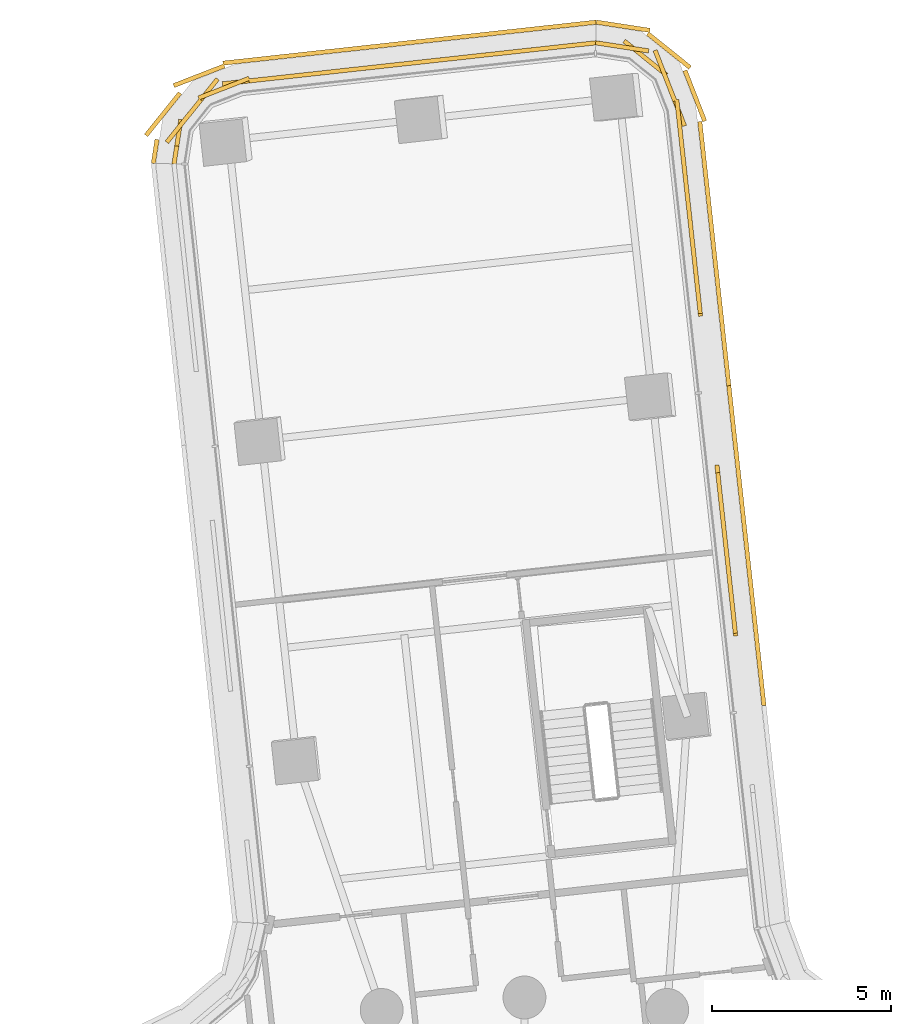
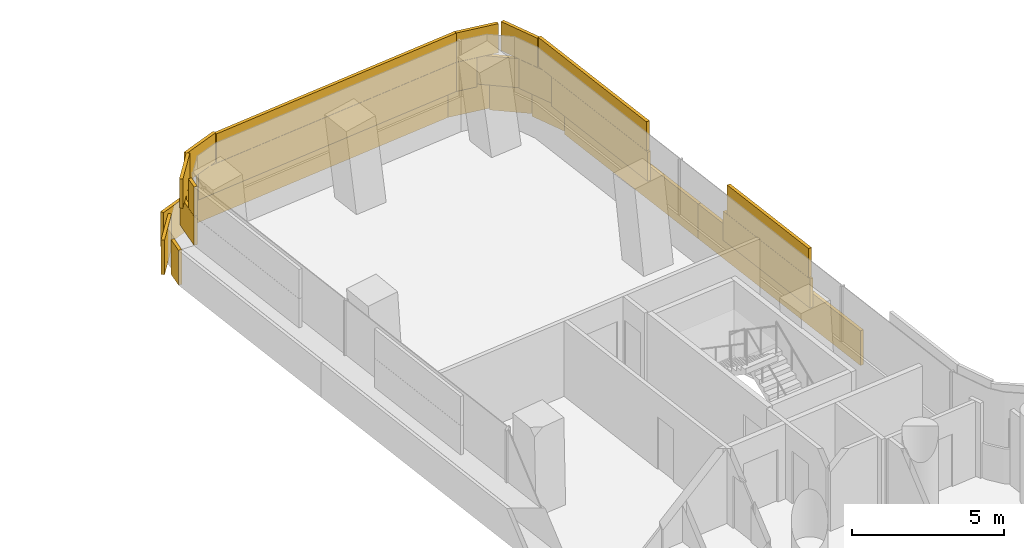
# One storey, part 31 of 31: 3 coverings.
"""IFC4 building model written with IfcOpenShell, lengths in metres."""

from ifc_helpers import new_model, si_unit, direction, frame, origin, origin_2d, place, context, subcontext, project, spatial, rectangle, extrude, material, layer, layer_set, type_object, element, save


model = new_model("IFC4")

# Units and contexts
model_context = context("Model", 3, precision=1e-05, world=origin(), true_north=direction((0.0, 1.0)))
body_context = subcontext(model_context, "Body", "Model", "MODEL_VIEW")
ifc_project = project(units=[si_unit("LENGTHUNIT", "METRE"), si_unit("AREAUNIT", "SQUARE_METRE"), si_unit("VOLUMEUNIT", "CUBIC_METRE"), si_unit("PLANEANGLEUNIT", "RADIAN"), si_unit("MASSUNIT", "GRAM", prefix="KILO")], contexts=[model_context])

# Site, building, storey
site_placement = place(None, origin())
site = spatial("IfcSite", under=ifc_project, at=site_placement, CompositionType="ELEMENT")
building_placement = place(site_placement, origin())
building = spatial("IfcBuilding", under=site, at=building_placement, Name="Tamarind Cross Interchange Tower", CompositionType="ELEMENT")
storey_placement = place(building_placement, frame((0.0, 0.0, 56.5)))
storey = spatial("IfcBuildingStorey", under=building, at=storey_placement, Name="L12", CompositionType="ELEMENT", Elevation=56.5)

# Coverings
ifc_material = material(Name="Terracotta", Category="masonry")
ifc_layer = layer(ifc_material, 0.1201171875)
ifc_layer_set = layer_set([ifc_layer], Name="Terracotta")
covering_type = type_object("IfcCoveringType", Name="Terracotta baguette screen unit", PredefinedType="MOLDING", material=ifc_layer_set)
covering_1_placement = place(storey_placement, origin())
element("IfcCovering", 1, at=covering_1_placement, inside=storey, type_object=covering_type, Name="SCR-L12-03-01", PredefinedType="MOLDING", context=body_context, shape_type="SweptSolid", body=[
    extrude(rectangle(XDim=0.837890625, YDim=0.1201171875, at=origin_2d()), frame((5.865478515625, 33.53466796875, 1.404052734375), z_axis=(0.0, 0.0, 1.0), x_axis=(-0.109193040639, 0.994020563105, 0.0)), (0.0, 0.0, 1.0), 1.1669921875),
    extrude(rectangle(XDim=1.52001953125, YDim=0.1201171875, at=origin_2d()), frame((5.738525390625, 34.691650390625, 1.404052734375), z_axis=(0.0, 0.0, 1.0), x_axis=(-0.109193040639, 0.994020563105, 0.0)), (0.0, 0.0, 1.0), 1.1669921875),
    extrude(rectangle(XDim=1.52001953125, YDim=0.1201171875, at=origin_2d()), frame((5.57470703125, 36.182861328125, 1.404052734375), z_axis=(0.0, 0.0, 1.0), x_axis=(-0.109193040639, 0.994020563105, 0.0)), (0.0, 0.0, 1.0), 1.1669921875),
    extrude(rectangle(XDim=0.982421875, YDim=0.1201171875, at=origin_2d()), frame((5.439697265625, 37.41162109375, 1.404052734375), z_axis=(0.0, 0.0, 1.0), x_axis=(-0.109193040639, 0.994020563105, 0.0)), (0.0, 0.0, 1.0), 1.1669921875),
    extrude(rectangle(XDim=1.52001953125, YDim=0.1201171875, at=origin_2d()), frame((5.8203125, 33.9462890625, 2.5791015625), z_axis=(0.0, 0.0, 1.0), x_axis=(-0.109193040639, 0.994020563105, 0.0)), (0.0, 0.0, 1.0), 1.1669921875),
    extrude(rectangle(XDim=1.52001953125, YDim=0.1201171875, at=origin_2d()), frame((5.656494140625, 35.437255859375, 2.5791015625), z_axis=(0.0, 0.0, 1.0), x_axis=(-0.109193040639, 0.994020563105, 0.0)), (0.0, 0.0, 1.0), 1.1669921875),
    extrude(rectangle(XDim=1.52001953125, YDim=0.1201171875, at=origin_2d()), frame((5.49267578125, 36.92822265625, 2.5791015625), z_axis=(0.0, 0.0, 1.0), x_axis=(-0.109193040639, 0.994020563105, 0.0)), (0.0, 0.0, 1.0), 1.1669921875),
    extrude(rectangle(XDim=1.436767578125, YDim=0.1201171875, at=origin_2d()), frame((6.624267578125, 31.884765625, 0.00390625), z_axis=(0.0, 0.0, 1.0), x_axis=(-0.109193040639, 0.994020563105, 0.0)), (0.0, 0.0, 1.0), 1.39208984375),
    extrude(rectangle(XDim=1.52001953125, YDim=0.1201171875, at=origin_2d()), frame((6.465087890625, 33.334228515625, 0.00390625), z_axis=(0.0, 0.0, 1.0), x_axis=(-0.109193040639, 0.994020563105, 0.0)), (0.0, 0.0, 1.0), 1.39208984375),
    extrude(rectangle(XDim=1.52001953125, YDim=0.1201171875, at=origin_2d()), frame((6.30126953125, 34.825439453125, 0.00390625), z_axis=(0.0, 0.0, 1.0), x_axis=(-0.109193040639, 0.994020563105, 0.0)), (0.0, 0.0, 1.0), 1.39208984375),
    extrude(rectangle(XDim=1.52001953125, YDim=0.1201171875, at=origin_2d()), frame((6.137451171875, 36.31640625, 0.00390625), z_axis=(0.0, 0.0, 1.0), x_axis=(-0.109193040639, 0.994020563105, 0.0)), (0.0, 0.0, 1.0), 1.39208984375),
    extrude(rectangle(XDim=1.52001953125, YDim=0.1201171875, at=origin_2d()), frame((5.9736328125, 37.807373046875, 0.00390625), z_axis=(0.0, 0.0, 1.0), x_axis=(-0.109193040639, 0.994020563105, 0.0)), (0.0, 0.0, 1.0), 1.39208984375),
    extrude(rectangle(XDim=1.52001953125, YDim=0.1201171875, at=origin_2d()), frame((5.809814453125, 39.29833984375, 0.00390625), z_axis=(0.0, 0.0, 1.0), x_axis=(-0.109193040639, 0.994020563105, 0.0)), (0.0, 0.0, 1.0), 1.39208984375),
    extrude(rectangle(XDim=0.0849609375, YDim=0.1201171875, at=origin_2d()), frame((5.724365234375, 40.076416015625, 0.00390625), z_axis=(0.0, 0.0, 1.0), x_axis=(-0.109193040639, 0.994020563105, 0.0)), (0.0, 0.0, 1.0), 1.39208984375),
])
covering_2_placement = place(storey_placement, origin())
element("IfcCovering", 2, at=covering_2_placement, inside=storey, type_object=covering_type, Name="SCR-L12-03-02", PredefinedType="MOLDING", context=body_context, shape_type="SweptSolid", body=[
    extrude(rectangle(XDim=0.837646484375, YDim=0.1201171875, at=origin_2d()), frame((4.8828125, 42.48095703125, 1.404052734375), z_axis=(0.0, 0.0, 1.0), x_axis=(-0.109193040639, 0.994020563105, 0.0)), (0.0, 0.0, 1.0), 1.1669921875),
    extrude(rectangle(XDim=1.52001953125, YDim=0.1201171875, at=origin_2d()), frame((4.755615234375, 43.637939453125, 1.404052734375), z_axis=(0.0, 0.0, 1.0), x_axis=(-0.109193040639, 0.994020563105, 0.0)), (0.0, 0.0, 1.0), 1.1669921875),
    extrude(rectangle(XDim=1.52001953125, YDim=0.1201171875, at=origin_2d()), frame((4.592041015625, 45.12890625, 1.404052734375), z_axis=(0.0, 0.0, 1.0), x_axis=(-0.109193040639, 0.994020563105, 0.0)), (0.0, 0.0, 1.0), 1.1669921875),
    extrude(rectangle(XDim=1.52001953125, YDim=0.1201171875, at=origin_2d()), frame((4.42822265625, 46.619873046875, 1.404052734375), z_axis=(0.0, 0.0, 1.0), x_axis=(-0.109193040639, 0.994020563105, 0.0)), (0.0, 0.0, 1.0), 1.1669921875),
    extrude(rectangle(XDim=1.52001953125, YDim=0.1201171875, at=origin_2d()), frame((4.2041015625, 48.09619140625, 1.404052734375), z_axis=(0.0, 0.0, 1.0), x_axis=(-0.36274383096, 0.931888895256, 0.0)), (0.0, 0.0, 1.0), 1.1669921875),
    extrude(rectangle(XDim=1.52001953125, YDim=0.1201171875, at=origin_2d()), frame((3.3818359375, 49.2900390625, 1.404052734375), z_axis=(0.0, 0.0, 1.0), x_axis=(-0.780089820305, 0.625667541316, 0.0)), (0.0, 0.0, 1.0), 1.1669921875),
    extrude(rectangle(XDim=0.748046875, YDim=0.1201171875, at=origin_2d()), frame((2.362548828125, 49.657470703125, 1.404052734375), z_axis=(0.0, 0.0, 1.0), x_axis=(-0.988411372276, 0.151799074951, 0.0)), (0.0, 0.0, 1.0), 1.1669921875),
    extrude(rectangle(XDim=1.52001953125, YDim=0.1201171875, at=origin_2d()), frame((4.837646484375, 42.892333984375, 2.5791015625), z_axis=(0.0, 0.0, 1.0), x_axis=(-0.109193040639, 0.994020563105, 0.0)), (0.0, 0.0, 1.0), 1.1669921875),
    extrude(rectangle(XDim=1.52001953125, YDim=0.1201171875, at=origin_2d()), frame((4.673828125, 44.383544921875, 2.5791015625), z_axis=(0.0, 0.0, 1.0), x_axis=(-0.109193040639, 0.994020563105, 0.0)), (0.0, 0.0, 1.0), 1.1669921875),
    extrude(rectangle(XDim=1.52001953125, YDim=0.1201171875, at=origin_2d()), frame((4.510009765625, 45.87451171875, 2.5791015625), z_axis=(0.0, 0.0, 1.0), x_axis=(-0.109193040639, 0.994020563105, 0.0)), (0.0, 0.0, 1.0), 1.1669921875),
    extrude(rectangle(XDim=1.52001953125, YDim=0.1201171875, at=origin_2d()), frame((4.34619140625, 47.365478515625, 2.5791015625), z_axis=(0.0, 0.0, 1.0), x_axis=(-0.109193040639, 0.994020563105, 0.0)), (0.0, 0.0, 1.0), 1.1669921875),
    extrude(rectangle(XDim=1.52001953125, YDim=0.1201171875, at=origin_2d()), frame((3.931884765625, 48.795166015625, 2.5791015625), z_axis=(0.0, 0.0, 1.0), x_axis=(-0.36274383096, 0.931888895256, 0.0)), (0.0, 0.0, 1.0), 1.1669921875),
    extrude(rectangle(XDim=1.498046875, YDim=0.1201171875, at=origin_2d()), frame((2.733154296875, 49.600341796875, 2.5791015625), z_axis=(0.0, 0.0, 1.0), x_axis=(-0.988411372276, 0.151799074951, 0.0)), (0.0, 0.0, 1.0), 1.1669921875),
    extrude(rectangle(XDim=1.434814453125, YDim=0.1201171875, at=origin_2d()), frame((5.641357421875, 40.831787109375, 0.00390625), z_axis=(0.0, 0.0, 1.0), x_axis=(-0.109193040639, 0.994020563105, 0.0)), (0.0, 0.0, 1.0), 1.39208984375),
    extrude(rectangle(XDim=1.52001953125, YDim=0.1201171875, at=origin_2d()), frame((5.482177734375, 42.280517578125, 0.00390625), z_axis=(0.0, 0.0, 1.0), x_axis=(-0.109193040639, 0.994020563105, 0.0)), (0.0, 0.0, 1.0), 1.39208984375),
    extrude(rectangle(XDim=1.52001953125, YDim=0.1201171875, at=origin_2d()), frame((5.318603515625, 43.771484375, 0.00390625), z_axis=(0.0, 0.0, 1.0), x_axis=(-0.109193040639, 0.994020563105, 0.0)), (0.0, 0.0, 1.0), 1.39208984375),
    extrude(rectangle(XDim=1.52001953125, YDim=0.1201171875, at=origin_2d()), frame((5.15478515625, 45.2626953125, 0.00390625), z_axis=(0.0, 0.0, 1.0), x_axis=(-0.109193040639, 0.994020563105, 0.0)), (0.0, 0.0, 1.0), 1.39208984375),
    extrude(rectangle(XDim=1.52001953125, YDim=0.1201171875, at=origin_2d()), frame((4.990966796875, 46.753662109375, 0.00390625), z_axis=(0.0, 0.0, 1.0), x_axis=(-0.109193040639, 0.994020563105, 0.0)), (0.0, 0.0, 1.0), 1.39208984375),
    extrude(rectangle(XDim=1.52001953125, YDim=0.1201171875, at=origin_2d()), frame((4.767822265625, 48.230224609375, 0.00390625), z_axis=(0.0, 0.0, 1.0), x_axis=(-0.36274383096, 0.931888895256, 0.0)), (0.0, 0.0, 1.0), 1.39208984375),
    extrude(rectangle(XDim=1.52001953125, YDim=0.1201171875, at=origin_2d()), frame((4.04296875, 49.495361328125, 0.00390625), z_axis=(0.0, 0.0, 1.0), x_axis=(-0.780089820305, 0.625667541316, 0.0)), (0.0, 0.0, 1.0), 1.39208984375),
    extrude(rectangle(XDim=1.52001953125, YDim=0.1201171875, at=origin_2d()), frame((2.760009765625, 50.177001953125, 0.00390625), z_axis=(0.0, 0.0, 1.0), x_axis=(-0.988411372276, 0.151799074951, 0.0)), (0.0, 0.0, 1.0), 1.39208984375),
])
covering_3_placement = place(storey_placement, origin())
element("IfcCovering", 3, at=covering_3_placement, inside=storey, type_object=covering_type, Name="SCR-L12-04-00", PredefinedType="MOLDING", context=body_context, shape_type="SweptSolid", body=[
    extrude(rectangle(XDim=1.510009765625, YDim=0.1201171875, at=origin_2d()), frame((1.252197265625, 49.631591796875, 1.404052734375), z_axis=(0.0, 0.0, 1.0), x_axis=(-0.994020563105, -0.109193040639, 0.0)), (0.0, 0.0, 1.0), 1.1669921875),
    extrude(rectangle(XDim=1.52001953125, YDim=0.1201171875, at=origin_2d()), frame((-0.23876953125, 49.4677734375, 1.404052734375), z_axis=(0.0, 0.0, 1.0), x_axis=(-0.994020563105, -0.109193040639, 0.0)), (0.0, 0.0, 1.0), 1.1669921875),
    extrude(rectangle(XDim=1.52001953125, YDim=0.1201171875, at=origin_2d()), frame((-1.72998046875, 49.303955078125, 1.404052734375), z_axis=(0.0, 0.0, 1.0), x_axis=(-0.994020563105, -0.109193040639, 0.0)), (0.0, 0.0, 1.0), 1.1669921875),
    extrude(rectangle(XDim=1.52001953125, YDim=0.1201171875, at=origin_2d()), frame((-3.220947265625, 49.14013671875, 1.404052734375), z_axis=(0.0, 0.0, 1.0), x_axis=(-0.994020563105, -0.109193040639, 0.0)), (0.0, 0.0, 1.0), 1.1669921875),
    extrude(rectangle(XDim=1.52001953125, YDim=0.1201171875, at=origin_2d()), frame((-4.7119140625, 48.976318359375, 1.404052734375), z_axis=(0.0, 0.0, 1.0), x_axis=(-0.994020563105, -0.109193040639, 0.0)), (0.0, 0.0, 1.0), 1.1669921875),
    extrude(rectangle(XDim=1.52001953125, YDim=0.1201171875, at=origin_2d()), frame((-6.202880859375, 48.8125, 1.404052734375), z_axis=(0.0, 0.0, 1.0), x_axis=(-0.994020563105, -0.109193040639, 0.0)), (0.0, 0.0, 1.0), 1.1669921875),
    extrude(rectangle(XDim=1.52001953125, YDim=0.1201171875, at=origin_2d()), frame((-7.694091796875, 48.648681640625, 1.404052734375), z_axis=(0.0, 0.0, 1.0), x_axis=(-0.994020563105, -0.109193040639, 0.0)), (0.0, 0.0, 1.0), 1.1669921875),
    extrude(rectangle(XDim=1.52001953125, YDim=0.1201171875, at=origin_2d()), frame((-9.061279296875, 48.109375, 1.404052734375), z_axis=(0.0, 0.0, 1.0), x_axis=(-0.625667541316, -0.780089820305, 0.0)), (0.0, 0.0, 1.0), 1.1669921875),
    extrude(rectangle(XDim=1.259521484375, YDim=0.1201171875, at=origin_2d()), frame((-9.7099609375, 46.94384765625, 1.404052734375), z_axis=(0.0, 0.0, 1.0), x_axis=(-0.151799074951, -0.988411372276, 0.0)), (0.0, 0.0, 1.0), 1.1669921875),
    extrude(rectangle(XDim=0.760009765625, YDim=0.1201171875, at=origin_2d()), frame((1.625, 49.67236328125, 2.5791015625), z_axis=(0.0, 0.0, 1.0), x_axis=(-0.994020563105, -0.109193040639, 0.0)), (0.0, 0.0, 1.0), 1.1669921875),
    extrude(rectangle(XDim=1.52001953125, YDim=0.1201171875, at=origin_2d()), frame((0.506591796875, 49.549560546875, 2.5791015625), z_axis=(0.0, 0.0, 1.0), x_axis=(-0.994020563105, -0.109193040639, 0.0)), (0.0, 0.0, 1.0), 1.1669921875),
    extrude(rectangle(XDim=1.52001953125, YDim=0.1201171875, at=origin_2d()), frame((-0.984375, 49.3857421875, 2.5791015625), z_axis=(0.0, 0.0, 1.0), x_axis=(-0.994020563105, -0.109193040639, 0.0)), (0.0, 0.0, 1.0), 1.1669921875),
    extrude(rectangle(XDim=1.52001953125, YDim=0.1201171875, at=origin_2d()), frame((-2.475341796875, 49.221923828125, 2.5791015625), z_axis=(0.0, 0.0, 1.0), x_axis=(-0.994020563105, -0.109193040639, 0.0)), (0.0, 0.0, 1.0), 1.1669921875),
    extrude(rectangle(XDim=1.52001953125, YDim=0.1201171875, at=origin_2d()), frame((-3.966552734375, 49.058349609375, 2.5791015625), z_axis=(0.0, 0.0, 1.0), x_axis=(-0.994020563105, -0.109193040639, 0.0)), (0.0, 0.0, 1.0), 1.1669921875),
    extrude(rectangle(XDim=1.52001953125, YDim=0.1201171875, at=origin_2d()), frame((-5.45751953125, 48.89453125, 2.5791015625), z_axis=(0.0, 0.0, 1.0), x_axis=(-0.994020563105, -0.109193040639, 0.0)), (0.0, 0.0, 1.0), 1.1669921875),
    extrude(rectangle(XDim=1.52001953125, YDim=0.1201171875, at=origin_2d()), frame((-6.948486328125, 48.730712890625, 2.5791015625), z_axis=(0.0, 0.0, 1.0), x_axis=(-0.994020563105, -0.109193040639, 0.0)), (0.0, 0.0, 1.0), 1.1669921875),
    extrude(rectangle(XDim=1.52001953125, YDim=0.1201171875, at=origin_2d()), frame((-8.409912109375, 48.446044921875, 2.5791015625), z_axis=(0.0, 0.0, 1.0), x_axis=(-0.931888895256, -0.36274383096, 0.0)), (0.0, 0.0, 1.0), 1.1669921875),
    extrude(rectangle(XDim=1.52001953125, YDim=0.1201171875, at=origin_2d()), frame((-9.530517578125, 47.524169921875, 2.5791015625), z_axis=(0.0, 0.0, 1.0), x_axis=(-0.625667541316, -0.780089820305, 0.0)), (0.0, 0.0, 1.0), 1.1669921875),
    extrude(rectangle(XDim=0.509521484375, YDim=0.1201171875, at=origin_2d()), frame((-9.766845703125, 46.5732421875, 2.5791015625), z_axis=(0.0, 0.0, 1.0), x_axis=(-0.151799074951, -0.988411372276, 0.0)), (0.0, 0.0, 1.0), 1.1669921875),
    extrude(rectangle(XDim=1.510009765625, YDim=0.1201171875, at=origin_2d()), frame((1.259521484375, 50.209716796875, 0.00390625), z_axis=(0.0, 0.0, 1.0), x_axis=(-0.994020563105, -0.109193040639, 0.0)), (0.0, 0.0, 1.0), 1.39208984375),
    extrude(rectangle(XDim=1.52001953125, YDim=0.1201171875, at=origin_2d()), frame((-0.226318359375, 50.046630859375, 0.00390625), z_axis=(0.0, 0.0, 1.0), x_axis=(-0.994020563105, -0.109193040639, 0.0)), (0.0, 0.0, 1.0), 1.39208984375),
    extrude(rectangle(XDim=1.52001953125, YDim=0.1201171875, at=origin_2d()), frame((-1.717529296875, 49.8828125, 0.00390625), z_axis=(0.0, 0.0, 1.0), x_axis=(-0.994020563105, -0.109193040639, 0.0)), (0.0, 0.0, 1.0), 1.39208984375),
    extrude(rectangle(XDim=1.52001953125, YDim=0.1201171875, at=origin_2d()), frame((-3.20849609375, 49.718994140625, 0.00390625), z_axis=(0.0, 0.0, 1.0), x_axis=(-0.994020563105, -0.109193040639, 0.0)), (0.0, 0.0, 1.0), 1.39208984375),
    extrude(rectangle(XDim=1.52001953125, YDim=0.1201171875, at=origin_2d()), frame((-4.699462890625, 49.55517578125, 0.00390625), z_axis=(0.0, 0.0, 1.0), x_axis=(-0.994020563105, -0.109193040639, 0.0)), (0.0, 0.0, 1.0), 1.39208984375),
    extrude(rectangle(XDim=1.52001953125, YDim=0.1201171875, at=origin_2d()), frame((-6.1904296875, 49.391357421875, 0.00390625), z_axis=(0.0, 0.0, 1.0), x_axis=(-0.994020563105, -0.109193040639, 0.0)), (0.0, 0.0, 1.0), 1.39208984375),
    extrude(rectangle(XDim=1.52001953125, YDim=0.1201171875, at=origin_2d()), frame((-7.681640625, 49.2275390625, 0.00390625), z_axis=(0.0, 0.0, 1.0), x_axis=(-0.994020563105, -0.109193040639, 0.0)), (0.0, 0.0, 1.0), 1.39208984375),
    extrude(rectangle(XDim=1.52001953125, YDim=0.1201171875, at=origin_2d()), frame((-9.105712890625, 48.791259765625, 0.00390625), z_axis=(0.0, 0.0, 1.0), x_axis=(-0.931888895256, -0.36274383096, 0.0)), (0.0, 0.0, 1.0), 1.39208984375),
    extrude(rectangle(XDim=1.52001953125, YDim=0.1201171875, at=origin_2d()), frame((-10.11328125, 47.715087890625, 0.00390625), z_axis=(0.0, 0.0, 1.0), x_axis=(-0.625667541316, -0.780089820305, 0.0)), (0.0, 0.0, 1.0), 1.39208984375),
    extrude(rectangle(XDim=0.67626953125, YDim=0.1201171875, at=origin_2d()), frame((-10.332275390625, 46.673828125, 0.00390625), z_axis=(0.0, 0.0, 1.0), x_axis=(-0.151799074951, -0.988411372276, 0.0)), (0.0, 0.0, 1.0), 1.39208984375),
])

save(model, "model.ifc")
